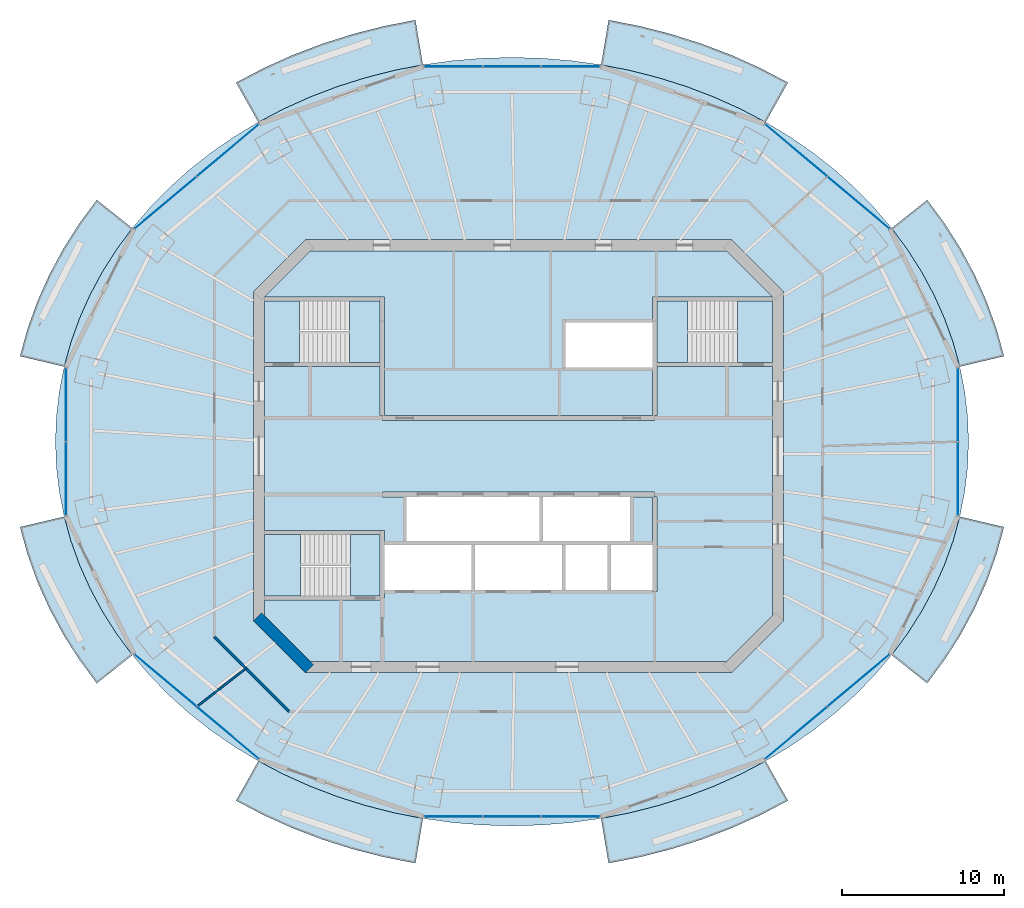
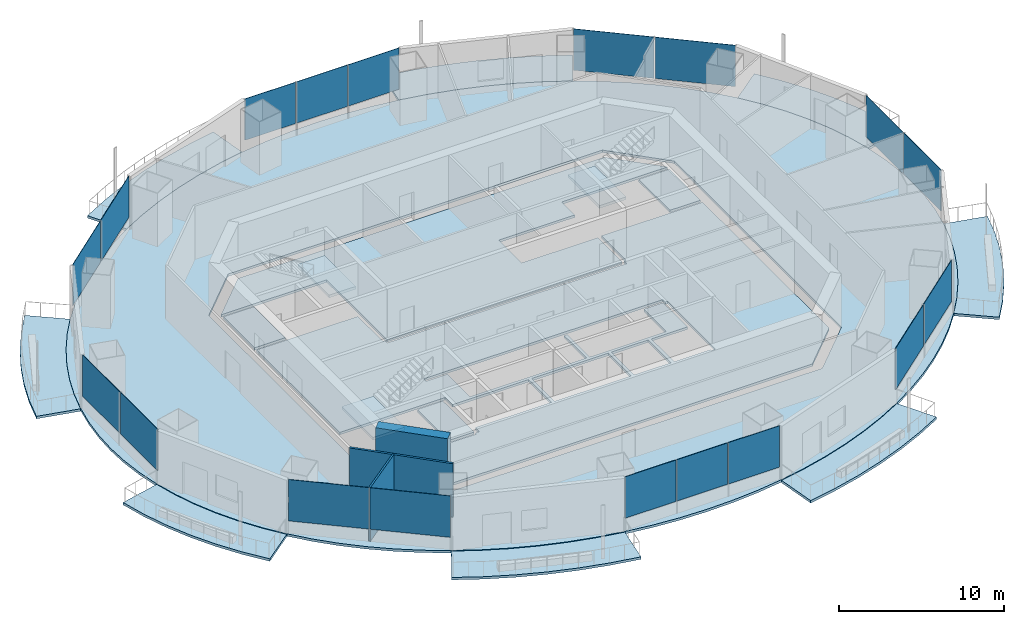
# One storey, part 7 of 16: 18 plates, 17 slabs, 3 walls, 11 elements without a shape of their own.
"""IFC4 building model written with IfcOpenShell, lengths in metres."""

import ifcopenshell
import ifcopenshell.guid

model = None  # the IFC model being written
_history = None  # IfcOwnerHistory: only IFC2X3 demands one
_inside = {}  # id of a spatial element -> (the spatial element, [elements in it])
_under = {}  # id of a project, library or spatial element -> (it, [spatial elements below it])
_declared = {}  # id of a project -> (the project, [libraries it declares])
_typed = {}  # id of a type object -> (the type object, [elements of that type])
_made_of = {}  # id of a material, layer set ... -> (it, [elements and type objects made of it])


def new_model(schema):
    """Start an empty IFC model of exactly this schema.

    Asked for "IFC4X3", IfcOpenShell would pick the latest addendum, in which some entities
    have other attributes; the version numbers below select the first issue.
    IFC2X3 requires an IfcOwnerHistory on every rooted entity: one is made here for all.
    """
    global model, _history
    if schema == "IFC4X3":
        model = ifcopenshell.file(schema_version=(4, 3, 0, 0))
    else:
        model = ifcopenshell.file(schema=schema)
    _inside.clear()
    _under.clear()
    _declared.clear()
    _typed.clear()
    _made_of.clear()
    _history = None
    if model.schema == "IFC2X3":
        org = make("IfcOrganization", Name="unknown")
        user = make(
            "IfcPersonAndOrganization",
            ThePerson=make("IfcPerson", FamilyName="unknown"),
            TheOrganization=org,
        )
        app = make(
            "IfcApplication",
            ApplicationDeveloper=org,
            Version="unknown",
            ApplicationFullName="unknown",
            ApplicationIdentifier="unknown",
        )
        _history = make(
            "IfcOwnerHistory",
            OwningUser=user,
            OwningApplication=app,
            ChangeAction="ADDED",
            CreationDate=0,
        )
    return model


def make(cls, **values):
    """One entity of the class cls with the attributes given. An attribute that is None is left unset."""
    return model.create_entity(
        cls, **{name: value for name, value in values.items() if value is not None}
    )


def rooted(cls, **values):
    """An entity with a GlobalId (a new one), such as an element, a storey or a relation."""
    return make(cls, GlobalId=ifcopenshell.guid.new(), OwnerHistory=_history, **values)


def si_unit(unit_type, name, prefix=None):
    """IfcSIUnit, for example si_unit("LENGTHUNIT", "METRE", prefix="MILLI")."""
    return make("IfcSIUnit", UnitType=unit_type, Prefix=prefix, Name=name)


def assignment(units):
    """IfcUnitAssignment: the units of a project."""
    return None if units is None else make("IfcUnitAssignment", Units=units)


def point(xyz):
    """IfcCartesianPoint."""
    return None if xyz is None else make("IfcCartesianPoint", Coordinates=xyz)


def direction(xyz):
    """IfcDirection."""
    return None if xyz is None else make("IfcDirection", DirectionRatios=xyz)


def frame(location, z_axis=None, x_axis=None):
    """IfcAxis2Placement3D, a coordinate frame: its origin and axes. An axis left out is left unset."""
    return make(
        "IfcAxis2Placement3D",
        Location=point(location),
        Axis=direction(z_axis),
        RefDirection=direction(x_axis),
    )


def frame_2d(location, x_axis=None):
    """IfcAxis2Placement2D, a coordinate frame in the plane: its origin and x axis."""
    return make(
        "IfcAxis2Placement2D", Location=point(location), RefDirection=direction(x_axis)
    )


def origin():
    """The frame at (0, 0, 0) with its axes left unset."""
    return frame((0.0, 0.0, 0.0))


def origin_2d():
    """The frame at (0, 0) in the plane with its x axis left unset."""
    return frame_2d((0.0, 0.0))


def place(relative_to, where):
    """IfcLocalPlacement: puts the frame where relative to a parent placement (None: the world)."""
    return make(
        "IfcLocalPlacement", PlacementRelTo=relative_to, RelativePlacement=where
    )


def context(
    kind, dimensions, precision=None, world=None, true_north=None, identifier=None
):
    """IfcGeometricRepresentationContext, for example the 3D "Model" context."""
    return make(
        "IfcGeometricRepresentationContext",
        ContextIdentifier=identifier,
        ContextType=kind,
        CoordinateSpaceDimension=dimensions,
        Precision=precision,
        WorldCoordinateSystem=world,
        TrueNorth=true_north,
    )


def subcontext(parent, identifier, kind, view, scale=None):
    """IfcGeometricRepresentationSubContext, for example "Body" below "Model"."""
    return make(
        "IfcGeometricRepresentationSubContext",
        ContextIdentifier=identifier,
        ContextType=kind,
        ParentContext=parent,
        TargetScale=scale,
        TargetView=view,
    )


def project(units=None, contexts=None):
    """IfcProject with its units and contexts."""
    return rooted(
        "IfcProject",
        Name="project",
        RepresentationContexts=contexts,
        UnitsInContext=assignment(units),
    )


def spatial(cls, under=None, at=None, **own):
    """A site, building, storey or space (cls), placed at a placement, below another one or the project."""
    s = rooted(cls, ObjectPlacement=at, **own)
    if under is not None:
        _under.setdefault(under.id(), (under, []))[1].append(s)
    return s


def polyline(points):
    """IfcPolyline through the points."""
    return make("IfcPolyline", Points=[point(p) for p in points])


def profile(cls, at=None, kind="AREA", **sizes):
    """A parametric profile (cls). Its sizes go by their IFC names, for example OverallWidth=200.0."""
    return make(cls, ProfileType=kind, Position=at, **sizes)


def rectangle(**sizes):
    """IfcRectangleProfileDef."""
    return profile("IfcRectangleProfileDef", **sizes)


def outline(outer, holes=None, kind="AREA"):
    """IfcArbitraryClosedProfileDef: a profile drawn as a closed curve; with holes, ...WithVoids."""
    if holes is None:
        return make("IfcArbitraryClosedProfileDef", ProfileType=kind, OuterCurve=outer)
    return make(
        "IfcArbitraryProfileDefWithVoids",
        ProfileType=kind,
        OuterCurve=outer,
        InnerCurves=holes,
    )


def extrude(swept, where, along, depth):
    """IfcExtrudedAreaSolid: the profile swept, set in the frame where, extruded along a direction by depth."""
    return make(
        "IfcExtrudedAreaSolid",
        SweptArea=swept,
        Position=where,
        ExtrudedDirection=direction(along),
        Depth=depth,
    )


def shape(context_of_items, identifier, shape_type, items):
    """IfcShapeRepresentation: the items that make up one representation, for example the "Body"."""
    return make(
        "IfcShapeRepresentation",
        ContextOfItems=context_of_items,
        RepresentationIdentifier=identifier,
        RepresentationType=shape_type,
        Items=items,
    )


def material(Name=None, Category=None):
    """IfcMaterial."""
    return make("IfcMaterial", Name=Name, Category=Category)


def layer(
    of_material, thickness, ventilated=None, Name=None, Category=None, Priority=None
):
    """IfcMaterialLayer: one layer of a wall or slab, of a material (None: an air gap)."""
    return make(
        "IfcMaterialLayer",
        Material=of_material,
        LayerThickness=thickness,
        IsVentilated=ventilated,
        Name=Name,
        Category=Category,
        Priority=Priority,
    )


def layer_set(layers, Name=None):
    """IfcMaterialLayerSet."""
    return make("IfcMaterialLayerSet", MaterialLayers=layers, LayerSetName=Name)


def made_of(thing, what):
    """Note that an element or type object is made of a material, layer set ...; save() writes the relation."""
    if what is not None:
        _made_of.setdefault(what.id(), (what, []))[1].append(thing)
    return thing


def type_object(cls, material=None, **own):
    """A type object (cls), such as IfcWallType, which elements share."""
    return made_of(rooted(cls, **own), material)


def element(
    cls,
    number,
    at=None,
    inside=None,
    cuts=None,
    type_object=None,
    material=None,
    context=None,
    identifier="Body",
    shape_type=None,
    held_by="IfcProductDefinitionShape",
    body=None,
    shapes=None,
    **own,
):
    """One element of the class cls, such as IfcWall. Its Tag is "e" and its number.

    at: its placement. inside: the storey or other place that contains it. cuts: it is an
    opening in that element (IfcRelVoidsElement). A single representation is given by context,
    identifier, shape_type and body (its items); several are given by shapes. held_by: the class
    of the entity that holds the representations. save() writes the other relations.
    """
    e = rooted(cls, Tag="e%d" % number, ObjectPlacement=at, **own)
    if body is not None:
        shapes = [shape(context, identifier, shape_type, body)]
    if shapes is not None:
        e.Representation = make(held_by, Representations=shapes)
    if inside is not None:
        _inside.setdefault(inside.id(), (inside, []))[1].append(e)
    if cuts is not None:
        rooted(
            "IfcRelVoidsElement", RelatingBuildingElement=cuts, RelatedOpeningElement=e
        )
    if type_object is not None:
        _typed.setdefault(type_object.id(), (type_object, []))[1].append(e)
    return made_of(e, material)


def aggregate(whole, parts):
    """IfcRelAggregates: a whole, such as a stair, and the parts it consists of."""
    return rooted("IfcRelAggregates", RelatingObject=whole, RelatedObjects=parts)


def save(model, path):
    """Write the relations noted so far, then the file.

    IfcRelAggregates (storeys below a building ...), IfcRelContainedInSpatialStructure (elements
    in a storey), IfcRelDefinesByType, IfcRelAssociatesMaterial and IfcRelDeclares: one each for
    every whole, place, type object, material and project.
    """
    for whole, parts in _under.values():
        aggregate(whole, parts)
    for where, things in _inside.values():
        rooted(
            "IfcRelContainedInSpatialStructure",
            RelatedElements=things,
            RelatingStructure=where,
        )
    for kind, things in _typed.values():
        rooted("IfcRelDefinesByType", RelatedObjects=things, RelatingType=kind)
    for what, things in _made_of.values():
        rooted("IfcRelAssociatesMaterial", RelatedObjects=things, RelatingMaterial=what)
    for by, libraries in _declared.values():
        rooted("IfcRelDeclares", RelatingContext=by, RelatedDefinitions=libraries)
    model.write(path)


model = new_model("IFC4")

# Units and contexts
model_context = context("Model", 3, precision=1e-05, world=origin(), true_north=direction((0.0, 1.0)))
body_context = subcontext(model_context, "Body", "Model", "MODEL_VIEW")
ifc_project = project(units=[si_unit("LENGTHUNIT", "METRE"), si_unit("AREAUNIT", "SQUARE_METRE"), si_unit("VOLUMEUNIT", "CUBIC_METRE"), si_unit("PLANEANGLEUNIT", "RADIAN"), si_unit("MASSUNIT", "GRAM", prefix="KILO")], contexts=[model_context])

# Site, building, storey
site_placement = place(None, origin())
site = spatial("IfcSite", under=ifc_project, at=site_placement, CompositionType="ELEMENT")
building_placement = place(site_placement, origin())
building = spatial("IfcBuilding", under=site, at=building_placement, Name="Marenthal Gate Tower", CompositionType="ELEMENT")
storey_placement = place(building_placement, frame((0.0, 0.0, 317.699951171875)))
storey = spatial("IfcBuildingStorey", under=building, at=storey_placement, Name="L71", CompositionType="ELEMENT", Elevation=317.699951171875)

# Slabs
ifc_material_1 = material(Name="Concrete 40 MPa", Category="concrete")
ifc_layer_1 = layer(ifc_material_1, 0.179931640625)
ifc_layer_set_1 = layer_set([ifc_layer_1], Name="Balcony deck 180")
slab_type_1 = type_object("IfcSlabType", Name="Balcony deck 180", PredefinedType="USERDEFINED", material=ifc_layer_set_1)
slab_1_placement = place(storey_placement, frame((0.0, 0.0, -0.219970703125)))
element("IfcSlab", 1, at=slab_1_placement, inside=storey, type_object=slab_type_1, Name="Balcony deck L71 bay 1", ObjectType="BALCONY", PredefinedType="USERDEFINED", context=body_context, shape_type="SweptSolid", body=[
    extrude(outline(polyline([(27.212890625, 5.522216796875), (26.794677734375, 7.031982421875), (26.260009765625, 8.515380859375), (25.61083984375, 9.966552734375), (24.8505859375, 11.378662109375), (23.982177734375, 12.74609375), (23.00927734375, 14.0625), (25.201904296875, 15.8037109375), (26.291015625, 14.330078125), (27.266357421875, 12.79443359375), (28.123046875, 11.203125), (28.856689453125, 9.56298828125), (29.462646484375, 7.88134765625), (29.93798828125, 6.166259765625), (27.212890625, 5.522216796875)])), origin(), (0.0, 0.0, 1.0), 0.179931640625),
])
slab_2_placement = place(storey_placement, frame((0.0, 0.0, -0.219970703125)))
element("IfcSlab", 2, at=slab_2_placement, inside=storey, type_object=slab_type_1, Name="Balcony deck L71 bay 3", ObjectType="BALCONY", PredefinedType="USERDEFINED", context=body_context, shape_type="SweptSolid", body=[
    extrude(outline(polyline([(15.241455078125, 20.59912109375), (13.677001953125, 21.41796875), (12.05224609375, 22.148681640625), (10.3740234375, 22.78857421875), (8.64990234375, 23.334716796875), (6.88671875, 23.78466796875), (5.092529296875, 24.13671875), (5.554931640625, 26.8984375), (7.502685546875, 26.51611328125), (9.4189453125, 26.027099609375), (11.295654296875, 25.4326171875), (13.12548828125, 24.73486328125), (14.900634765625, 23.936279296875), (16.61376953125, 23.039794921875), (15.241455078125, 20.59912109375)])), origin(), (0.0, 0.0, 1.0), 0.179931640625),
])
slab_3_placement = place(storey_placement, frame((0.0, 0.0, -0.219970703125)))
element("IfcSlab", 3, at=slab_3_placement, inside=storey, type_object=slab_type_1, Name="Balcony deck L71 bay 5", ObjectType="BALCONY", PredefinedType="USERDEFINED", context=body_context, shape_type="SweptSolid", body=[
    extrude(outline(polyline([(-5.892578125, 24.13671875), (-7.686767578125, 23.78466796875), (-9.44970703125, 23.334716796875), (-11.174072265625, 22.78857421875), (-12.852294921875, 22.148681640625), (-14.47705078125, 21.41796875), (-16.04150390625, 20.59912109375), (-17.413818359375, 23.039794921875), (-15.70068359375, 23.936279296875), (-13.925537109375, 24.73486328125), (-12.095703125, 25.4326171875), (-10.21875, 26.027099609375), (-8.302734375, 26.51611328125), (-6.354736328125, 26.8984375), (-5.892578125, 24.13671875)])), origin(), (0.0, 0.0, 1.0), 0.179931640625),
])
slab_4_placement = place(storey_placement, frame((0.0, 0.0, -0.219970703125)))
element("IfcSlab", 4, at=slab_4_placement, inside=storey, type_object=slab_type_1, Name="Balcony deck L71 bay 7", ObjectType="BALCONY", PredefinedType="USERDEFINED", context=body_context, shape_type="SweptSolid", body=[
    extrude(outline(polyline([(-23.80908203125, 14.0625), (-24.781982421875, 12.74609375), (-25.650634765625, 11.378662109375), (-26.410888671875, 9.966552734375), (-27.059814453125, 8.515380859375), (-27.5947265625, 7.031982421875), (-28.012939453125, 5.522216796875), (-30.73779296875, 6.166259765625), (-30.2626953125, 7.88134765625), (-29.656494140625, 9.56298828125), (-28.923095703125, 11.203125), (-28.06640625, 12.79443359375), (-27.091064453125, 14.330078125), (-26.001953125, 15.8037109375), (-23.80908203125, 14.0625)])), origin(), (0.0, 0.0, 1.0), 0.179931640625),
])
slab_5_placement = place(storey_placement, frame((0.0, 0.0, -0.219970703125)))
element("IfcSlab", 5, at=slab_5_placement, inside=storey, type_object=slab_type_1, Name="Balcony deck L71 bay 9", ObjectType="BALCONY", PredefinedType="USERDEFINED", context=body_context, shape_type="SweptSolid", body=[
    extrude(outline(polyline([(-28.012939453125, -3.72216796875), (-27.5947265625, -5.23193359375), (-27.059814453125, -6.715576171875), (-26.410888671875, -8.16650390625), (-25.650634765625, -9.57861328125), (-24.781982421875, -10.946044921875), (-23.80908203125, -12.2626953125), (-26.001953125, -14.003662109375), (-27.091064453125, -12.530029296875), (-28.06640625, -10.994384765625), (-28.923095703125, -9.403076171875), (-29.656494140625, -7.762939453125), (-30.2626953125, -6.08154296875), (-30.73779296875, -4.3662109375), (-28.012939453125, -3.72216796875)])), origin(), (0.0, 0.0, 1.0), 0.179931640625),
])
slab_6_placement = place(storey_placement, frame((0.0, 0.0, -0.219970703125)))
element("IfcSlab", 6, at=slab_6_placement, inside=storey, type_object=slab_type_1, Name="Balcony deck L71 bay 11", ObjectType="BALCONY", PredefinedType="USERDEFINED", context=body_context, shape_type="SweptSolid", body=[
    extrude(outline(polyline([(-16.04150390625, -18.79931640625), (-14.47705078125, -19.617919921875), (-12.852294921875, -20.3486328125), (-11.174072265625, -20.988525390625), (-9.44970703125, -21.53466796875), (-7.686767578125, -21.984619140625), (-5.892578125, -22.3369140625), (-6.354736328125, -25.098388671875), (-8.302734375, -24.716064453125), (-10.21875, -24.22705078125), (-12.095703125, -23.632568359375), (-13.925537109375, -22.934814453125), (-15.70068359375, -22.136474609375), (-17.413818359375, -21.23974609375), (-16.04150390625, -18.79931640625)])), origin(), (0.0, 0.0, 1.0), 0.179931640625),
])
slab_7_placement = place(storey_placement, frame((0.0, 0.0, -0.219970703125)))
element("IfcSlab", 7, at=slab_7_placement, inside=storey, type_object=slab_type_1, Name="Balcony deck L71 bay 13", ObjectType="BALCONY", PredefinedType="USERDEFINED", context=body_context, shape_type="SweptSolid", body=[
    extrude(outline(polyline([(5.092529296875, -22.3369140625), (6.88671875, -21.984619140625), (8.64990234375, -21.53466796875), (10.3740234375, -20.988525390625), (12.05224609375, -20.3486328125), (13.677001953125, -19.617919921875), (15.241455078125, -18.79931640625), (16.61376953125, -21.23974609375), (14.900634765625, -22.136474609375), (13.12548828125, -22.934814453125), (11.295654296875, -23.632568359375), (9.4189453125, -24.22705078125), (7.502685546875, -24.716064453125), (5.554931640625, -25.098388671875), (5.092529296875, -22.3369140625)])), origin(), (0.0, 0.0, 1.0), 0.179931640625),
])
slab_8_placement = place(storey_placement, frame((0.0, 0.0, -0.219970703125)))
element("IfcSlab", 8, at=slab_8_placement, inside=storey, type_object=slab_type_1, Name="Balcony deck L71 bay 15", ObjectType="BALCONY", PredefinedType="USERDEFINED", context=body_context, shape_type="SweptSolid", body=[
    extrude(outline(polyline([(23.00927734375, -12.2626953125), (23.982177734375, -10.946044921875), (24.8505859375, -9.57861328125), (25.61083984375, -8.16650390625), (26.260009765625, -6.715576171875), (26.794677734375, -5.23193359375), (27.212890625, -3.72216796875), (29.93798828125, -4.3662109375), (29.462646484375, -6.08154296875), (28.856689453125, -7.762939453125), (28.123046875, -9.403076171875), (27.266357421875, -10.994384765625), (26.291015625, -12.530029296875), (25.201904296875, -14.003662109375), (23.00927734375, -12.2626953125)])), origin(), (0.0, 0.0, 1.0), 0.179931640625),
])
ifc_material_2 = material(Name="Concrete 50 MPa", Category="concrete")
ifc_layer_2 = layer(ifc_material_2, 0.179931640625)
ifc_layer_set_2 = layer_set([ifc_layer_2], Name="Core floor slab 180")
slab_type_2 = type_object("IfcSlabType", Name="Core floor slab 180", PredefinedType="FLOOR", material=ifc_layer_set_2)
slab_9_placement = place(storey_placement, frame((0.0, 0.0, -0.179931640625)))
element("IfcSlab", 9, at=slab_9_placement, inside=storey, type_object=slab_type_2, Name="Core floor L71", PredefinedType="FLOOR", context=body_context, shape_type="SweptSolid", body=[
    extrude(outline(polyline([(12.85498046875, -12.64990234375), (-12.85498046875, -12.64990234375), (-15.64990234375, -9.85498046875), (-15.64990234375, -8.875), (-8.550048828125, -8.875), (-8.550048828125, -8.75), (-8.25, -8.75), (-8.25, -8.239990234375), (-5.60009765625, -8.239990234375), (-2.909912109375, -8.239990234375), (-2.909912109375, -5.4599609375), (-5.60009765625, -5.4599609375), (-8.25, -5.4599609375), (-8.25, -4.574951171875), (-8.550048828125, -4.574951171875), (-15.64990234375, -4.574951171875), (-15.64990234375, 5.52490234375), (-8.550048828125, 5.52490234375), (-8.550048828125, 2.5), (-8.39990234375, 2.5), (-8.39990234375, 2.199951171875), (8.39990234375, 2.199951171875), (8.39990234375, 2.5), (8.550048828125, 2.5), (8.550048828125, 5.52490234375), (15.64990234375, 5.52490234375), (15.64990234375, -9.85498046875), (12.85498046875, -12.64990234375)]), holes=[polyline([(0.0, -8.239990234375), (2.68994140625, -8.239990234375), (2.68994140625, -5.4599609375), (0.0, -5.4599609375), (-2.68994140625, -5.4599609375), (-2.68994140625, -8.239990234375), (0.0, -8.239990234375)]), polyline([(1.2900390625, -5.239990234375), (1.2900390625, -2.5), (1.510009765625, -2.5), (1.510009765625, -5.239990234375), (4.199951171875, -5.239990234375), (6.889892578125, -5.239990234375), (6.889892578125, -2.5), (8.25, -2.5), (8.25, -5.4599609375), (5.7099609375, -5.4599609375), (5.7099609375, -8.239990234375), (8.25, -8.239990234375), (8.25, -8.35009765625), (8.550048828125, -8.35009765625), (8.550048828125, -2.5), (8.39990234375, -2.5), (8.39990234375, -2.199951171875), (-8.39990234375, -2.199951171875), (-8.39990234375, -2.5), (-6.889892578125, -2.5), (-6.889892578125, -5.239990234375), (-4.199951171875, -5.239990234375), (-1.39990234375, -5.239990234375), (1.2900390625, -5.239990234375)]), polyline([(5.489990234375, -5.4599609375), (2.909912109375, -5.4599609375), (2.909912109375, -8.239990234375), (5.489990234375, -8.239990234375), (5.489990234375, -5.4599609375)])]), origin(), (0.0, 0.0, 1.0), 0.179931640625),
])
slab_10_placement = place(storey_placement, frame((0.0, 0.0, -0.179931640625)))
element("IfcSlab", 10, at=slab_10_placement, inside=storey, type_object=slab_type_2, Name="Core floor L71", PredefinedType="FLOOR", context=body_context, shape_type="SweptSolid", body=[
    extrude(outline(polyline([(15.64990234375, 5.77490234375), (13.5, 5.77490234375), (13.5, 9.574951171875), (15.64990234375, 9.574951171875), (15.64990234375, 5.77490234375)])), origin(), (0.0, 0.0, 1.0), 0.179931640625),
])
slab_11_placement = place(storey_placement, frame((0.0, 0.0, -0.179931640625)))
element("IfcSlab", 11, at=slab_11_placement, inside=storey, type_object=slab_type_2, Name="Core floor L71", PredefinedType="FLOOR", context=body_context, shape_type="SweptSolid", body=[
    extrude(outline(polyline([(15.64990234375, 9.824951171875), (8.550048828125, 9.824951171875), (8.25, 9.824951171875), (8.25, 8.35009765625), (8.25, 8.239990234375), (5.60009765625, 8.239990234375), (2.909912109375, 8.239990234375), (2.909912109375, 5.4599609375), (5.60009765625, 5.4599609375), (8.25, 5.4599609375), (8.25, 2.5), (-8.25, 2.5), (-8.25, 8.35009765625), (-8.25, 9.824951171875), (-8.550048828125, 9.824951171875), (-15.64990234375, 9.824951171875), (-15.64990234375, 9.85498046875), (-12.85498046875, 12.64990234375), (12.85498046875, 12.64990234375), (15.64990234375, 9.85498046875), (15.64990234375, 9.824951171875)])), origin(), (0.0, 0.0, 1.0), 0.179931640625),
])
slab_12_placement = place(storey_placement, frame((0.0, 0.0, -0.179931640625)))
element("IfcSlab", 12, at=slab_12_placement, inside=storey, type_object=slab_type_2, Name="Core floor L71", PredefinedType="FLOOR", context=body_context, shape_type="SweptSolid", body=[
    extrude(outline(polyline([(-15.64990234375, 9.574951171875), (-13.5, 9.574951171875), (-13.5, 5.77490234375), (-15.64990234375, 5.77490234375), (-15.64990234375, 9.574951171875)])), origin(), (0.0, 0.0, 1.0), 0.179931640625),
])
slab_13_placement = place(storey_placement, frame((0.0, 0.0, -0.179931640625)))
element("IfcSlab", 13, at=slab_13_placement, inside=storey, type_object=slab_type_2, Name="Core floor L71", PredefinedType="FLOOR", context=body_context, shape_type="SweptSolid", body=[
    extrude(outline(polyline([(-8.550048828125, -4.824951171875), (-8.550048828125, -8.625), (-10.35009765625, -8.625), (-10.35009765625, -4.824951171875), (-8.550048828125, -4.824951171875)])), origin(), (0.0, 0.0, 1.0), 0.179931640625),
])
ifc_material_3 = material(Name="Concrete 35 MPa", Category="concrete")
ifc_layer_3 = layer(ifc_material_3, 0.179931640625)
ifc_layer_set_3 = layer_set([ifc_layer_3], Name="Floor slab 180")
slab_type_3 = type_object("IfcSlabType", Name="Floor slab 180", PredefinedType="FLOOR", material=ifc_layer_set_3)
slab_14_placement = place(storey_placement, frame((0.0, 0.0, -0.179931640625)))
element("IfcSlab", 14, at=slab_14_placement, inside=storey, type_object=slab_type_3, Name="SL-L71-01", PredefinedType="FLOOR", context=body_context, shape_type="SweptSolid", body=[
    extrude(outline(polyline([(27.75390625, 0.89990234375), (27.693603515625, 2.449462890625), (27.51318359375, 3.992431640625), (27.212890625, 5.522216796875), (26.794677734375, 7.031982421875), (26.260009765625, 8.515380859375), (25.61083984375, 9.966552734375), (24.8505859375, 11.378662109375), (23.982177734375, 12.74609375), (23.00927734375, 14.0625), (21.93603515625, 15.32275390625), (20.767333984375, 16.521240234375), (19.5078125, 17.65283203125), (18.1630859375, 18.712646484375), (16.739013671875, 19.696044921875), (15.241455078125, 20.59912109375), (13.677001953125, 21.41796875), (12.05224609375, 22.148681640625), (10.3740234375, 22.78857421875), (8.64990234375, 23.334716796875), (6.88671875, 23.78466796875), (5.092529296875, 24.13671875), (3.27490234375, 24.389404296875), (1.44140625, 24.541259765625), (-0.39990234375, 24.592041015625), (-2.241455078125, 24.541259765625), (-4.07470703125, 24.389404296875), (-5.892578125, 24.13671875), (-7.686767578125, 23.78466796875), (-9.44970703125, 23.334716796875), (-11.174072265625, 22.78857421875), (-12.852294921875, 22.148681640625), (-14.47705078125, 21.41796875), (-16.04150390625, 20.59912109375), (-17.5390625, 19.696044921875), (-18.963134765625, 18.712646484375), (-20.307861328125, 17.65283203125), (-21.5673828125, 16.521240234375), (-22.736083984375, 15.32275390625), (-23.80908203125, 14.0625), (-24.781982421875, 12.74609375), (-25.650634765625, 11.378662109375), (-26.410888671875, 9.966552734375), (-27.059814453125, 8.515380859375), (-27.5947265625, 7.031982421875), (-28.012939453125, 5.522216796875), (-28.31298828125, 3.992431640625), (-28.49365234375, 2.449462890625), (-28.553955078125, 0.89990234375), (-28.49365234375, -0.6494140625), (-28.31298828125, -2.1923828125), (-28.012939453125, -3.72216796875), (-27.5947265625, -5.23193359375), (-27.059814453125, -6.715576171875), (-26.410888671875, -8.16650390625), (-25.650634765625, -9.57861328125), (-24.781982421875, -10.946044921875), (-23.80908203125, -12.2626953125), (-22.736083984375, -13.522705078125), (-21.5673828125, -14.72119140625), (-20.307861328125, -15.852783203125), (-18.963134765625, -16.91259765625), (-17.5390625, -17.89599609375), (-16.04150390625, -18.79931640625), (-14.47705078125, -19.617919921875), (-12.852294921875, -20.3486328125), (-11.174072265625, -20.988525390625), (-9.44970703125, -21.53466796875), (-7.686767578125, -21.984619140625), (-5.892578125, -22.3369140625), (-4.07470703125, -22.58935546875), (-2.241455078125, -22.7412109375), (-0.39990234375, -22.7919921875), (1.44140625, -22.7412109375), (3.27490234375, -22.58935546875), (5.092529296875, -22.3369140625), (6.88671875, -21.984619140625), (8.64990234375, -21.53466796875), (10.3740234375, -20.988525390625), (12.05224609375, -20.3486328125), (13.677001953125, -19.617919921875), (15.241455078125, -18.79931640625), (16.739013671875, -17.89599609375), (18.1630859375, -16.91259765625), (19.5078125, -15.852783203125), (20.767333984375, -14.72119140625), (21.93603515625, -13.522705078125), (23.00927734375, -12.2626953125), (23.982177734375, -10.946044921875), (24.8505859375, -9.57861328125), (25.61083984375, -8.16650390625), (26.260009765625, -6.715576171875), (26.794677734375, -5.23193359375), (27.212890625, -3.72216796875), (27.51318359375, -2.1923828125), (27.693603515625, -0.6494140625), (27.75390625, 0.89990234375)]), holes=[polyline([(13.14501953125, -13.35009765625), (16.35009765625, -10.14501953125), (16.35009765625, 10.14501953125), (13.14501953125, 13.35009765625), (-13.14501953125, 13.35009765625), (-16.35009765625, 10.14501953125), (-16.35009765625, -10.14501953125), (-13.14501953125, -13.35009765625), (13.14501953125, -13.35009765625)])]), origin(), (0.0, 0.0, 1.0), 0.179931640625),
])

# Curtain wall, plates
ifc_material_4 = material(Name="Aluminium and glass", Category="aluminium")
curtain_wall_type = type_object("IfcCurtainWallType", Name="Curtain wall typical high", PredefinedType="NOTDEFINED", material=ifc_material_4)
curtain_wall_1_placement = place(storey_placement, origin())
curtain_wall_1 = element("IfcCurtainWall", 15, at=curtain_wall_1_placement, inside=storey, type_object=curtain_wall_type, Name="Curtain wall L71 bay 2", PredefinedType="NOTDEFINED")
ifc_material_5 = material(Name="Glass, laminated insulating unit", Category="glass")
ifc_layer_4 = layer(ifc_material_5, 0.031982421875)
ifc_layer_set_4 = layer_set([ifc_layer_4], Name="Glass panel 32 typical high")
plate_type = type_object("IfcPlateType", Name="Glass panel 32 typical high", PredefinedType="CURTAIN_PANEL", material=ifc_layer_set_4)
plate_1_placement = place(storey_placement, frame((20.96435546875, 15.63134765625, 0.89990234375), z_axis=(0.0, 0.0, 1.0), x_axis=(-0.765387011848, 0.643570293048, 0.0)))
plate_1 = element("IfcPlate", 16, at=plate_1_placement, type_object=plate_type, Name="Glass panel L71 bay 2.1", PredefinedType="CURTAIN_PANEL", context=body_context, shape_type="SweptSolid", body=[
    extrude(rectangle(XDim=4.962646484375, YDim=0.031982421875, at=origin_2d()), origin(), (0.0, 0.0, 1.0), 3.070068359375),
])
plate_2_placement = place(storey_placement, frame((17.1201171875, 18.86376953125, 0.89990234375), z_axis=(0.0, 0.0, 1.0), x_axis=(-0.765387011848, 0.643570293048, 0.0)))
plate_2 = element("IfcPlate", 17, at=plate_2_placement, type_object=plate_type, Name="Glass panel L71 bay 2.2", PredefinedType="CURTAIN_PANEL", context=body_context, shape_type="SweptSolid", body=[
    extrude(rectangle(XDim=4.962646484375, YDim=0.031982421875, at=origin_2d()), origin(), (0.0, 0.0, 1.0), 3.070068359375),
])
aggregate(curtain_wall_1, [plate_1, plate_2])

curtain_wall_2_placement = place(storey_placement, origin())
curtain_wall_2 = element("IfcCurtainWall", 18, at=curtain_wall_2_placement, inside=storey, type_object=curtain_wall_type, Name="Curtain wall L71 bay 4", PredefinedType="NOTDEFINED")
plate_3_placement = place(storey_placement, frame((3.22607421875, 24.01904296875, 0.89990234375), z_axis=(0.0, 0.0, 1.0), x_axis=(-1.0, 0.0, 0.0)))
plate_3 = element("IfcPlate", 19, at=plate_3_placement, type_object=plate_type, Name="Glass panel L71 bay 4.1", PredefinedType="CURTAIN_PANEL", context=body_context, shape_type="SweptSolid", body=[
    extrude(rectangle(XDim=3.566162109375, YDim=0.031982421875, at=origin_2d()), origin(), (0.0, 0.0, 1.0), 3.070068359375),
])
plate_4_placement = place(storey_placement, frame((-0.39990234375, 24.01904296875, 0.89990234375), z_axis=(0.0, 0.0, 1.0), x_axis=(-1.0, 0.0, 0.0)))
plate_4 = element("IfcPlate", 20, at=plate_4_placement, type_object=plate_type, Name="Glass panel L71 bay 4.2", PredefinedType="CURTAIN_PANEL", context=body_context, shape_type="SweptSolid", body=[
    extrude(rectangle(XDim=3.566162109375, YDim=0.031982421875, at=origin_2d()), origin(), (0.0, 0.0, 1.0), 3.070068359375),
])
plate_5_placement = place(storey_placement, frame((-4.026123046875, 24.01904296875, 0.89990234375), z_axis=(0.0, 0.0, 1.0), x_axis=(-1.0, 0.0, 0.0)))
plate_5 = element("IfcPlate", 21, at=plate_5_placement, type_object=plate_type, Name="Glass panel L71 bay 4.3", PredefinedType="CURTAIN_PANEL", context=body_context, shape_type="SweptSolid", body=[
    extrude(rectangle(XDim=3.566162109375, YDim=0.031982421875, at=origin_2d()), origin(), (0.0, 0.0, 1.0), 3.070068359375),
])
aggregate(curtain_wall_2, [plate_3, plate_4, plate_5])

curtain_wall_3_placement = place(storey_placement, origin())
curtain_wall_3 = element("IfcCurtainWall", 22, at=curtain_wall_3_placement, inside=storey, type_object=curtain_wall_type, Name="Curtain wall L71 bay 6", PredefinedType="NOTDEFINED")
plate_6_placement = place(storey_placement, frame((-17.919921875, 18.86376953125, 0.89990234375), z_axis=(0.0, 0.0, 1.0), x_axis=(-0.765387011848, -0.643570293048, 0.0)))
plate_6 = element("IfcPlate", 23, at=plate_6_placement, type_object=plate_type, Name="Glass panel L71 bay 6.1", PredefinedType="CURTAIN_PANEL", context=body_context, shape_type="SweptSolid", body=[
    extrude(rectangle(XDim=4.962646484375, YDim=0.031982421875, at=origin_2d()), origin(), (0.0, 0.0, 1.0), 3.070068359375),
])
plate_7_placement = place(storey_placement, frame((-21.764404296875, 15.63134765625, 0.89990234375), z_axis=(0.0, 0.0, 1.0), x_axis=(-0.765387011848, -0.643570293048, 0.0)))
plate_7 = element("IfcPlate", 24, at=plate_7_placement, type_object=plate_type, Name="Glass panel L71 bay 6.2", PredefinedType="CURTAIN_PANEL", context=body_context, shape_type="SweptSolid", body=[
    extrude(rectangle(XDim=4.962646484375, YDim=0.031982421875, at=origin_2d()), origin(), (0.0, 0.0, 1.0), 3.070068359375),
])
aggregate(curtain_wall_3, [plate_6, plate_7])

curtain_wall_4_placement = place(storey_placement, origin())
curtain_wall_4 = element("IfcCurtainWall", 25, at=curtain_wall_4_placement, inside=storey, type_object=curtain_wall_type, Name="Curtain wall L71 bay 8", PredefinedType="NOTDEFINED")
plate_8_placement = place(storey_placement, frame((-27.895263671875, 3.184326171875, 0.89990234375), z_axis=(0.0, 0.0, 1.0), x_axis=(0.0, -1.0, 0.0)))
plate_8 = element("IfcPlate", 26, at=plate_8_placement, type_object=plate_type, Name="Glass panel L71 bay 8.1", PredefinedType="CURTAIN_PANEL", context=body_context, shape_type="SweptSolid", body=[
    extrude(rectangle(XDim=4.5087890625, YDim=0.031982421875, at=origin_2d()), origin(), (0.0, 0.0, 1.0), 3.070068359375),
])
plate_9_placement = place(storey_placement, frame((-27.895263671875, -1.38427734375, 0.89990234375), z_axis=(0.0, 0.0, 1.0), x_axis=(0.0, -1.0, 0.0)))
plate_9 = element("IfcPlate", 27, at=plate_9_placement, type_object=plate_type, Name="Glass panel L71 bay 8.2", PredefinedType="CURTAIN_PANEL", context=body_context, shape_type="SweptSolid", body=[
    extrude(rectangle(XDim=4.5087890625, YDim=0.031982421875, at=origin_2d()), origin(), (0.0, 0.0, 1.0), 3.070068359375),
])
aggregate(curtain_wall_4, [plate_8, plate_9])

curtain_wall_5_placement = place(storey_placement, origin())
curtain_wall_5 = element("IfcCurtainWall", 28, at=curtain_wall_5_placement, inside=storey, type_object=curtain_wall_type, Name="Curtain wall L71 bay 10", PredefinedType="NOTDEFINED")
plate_10_placement = place(storey_placement, frame((-21.764404296875, -13.83154296875, 0.89990234375), z_axis=(0.0, 0.0, 1.0), x_axis=(0.765387011848, -0.643570293048, 0.0)))
plate_10 = element("IfcPlate", 29, at=plate_10_placement, type_object=plate_type, Name="Glass panel L71 bay 10.1", PredefinedType="CURTAIN_PANEL", context=body_context, shape_type="SweptSolid", body=[
    extrude(rectangle(XDim=4.962646484375, YDim=0.031982421875, at=origin_2d()), origin(), (0.0, 0.0, 1.0), 3.070068359375),
])
plate_11_placement = place(storey_placement, frame((-17.919921875, -17.06396484375, 0.89990234375), z_axis=(0.0, 0.0, 1.0), x_axis=(0.765387011848, -0.643570293048, 0.0)))
plate_11 = element("IfcPlate", 30, at=plate_11_placement, type_object=plate_type, Name="Glass panel L71 bay 10.2", PredefinedType="CURTAIN_PANEL", context=body_context, shape_type="SweptSolid", body=[
    extrude(rectangle(XDim=4.962646484375, YDim=0.031982421875, at=origin_2d()), origin(), (0.0, 0.0, 1.0), 3.070068359375),
])
aggregate(curtain_wall_5, [plate_10, plate_11])

curtain_wall_6_placement = place(storey_placement, origin())
curtain_wall_6 = element("IfcCurtainWall", 31, at=curtain_wall_6_placement, inside=storey, type_object=curtain_wall_type, Name="Curtain wall L71 bay 12", PredefinedType="NOTDEFINED")
plate_12_placement = place(storey_placement, frame((-4.026123046875, -22.218994140625, 0.89990234375), z_axis=(0.0, 0.0, 1.0), x_axis=(1.0, 0.0, 0.0)))
plate_12 = element("IfcPlate", 32, at=plate_12_placement, type_object=plate_type, Name="Glass panel L71 bay 12.1", PredefinedType="CURTAIN_PANEL", context=body_context, shape_type="SweptSolid", body=[
    extrude(rectangle(XDim=3.566162109375, YDim=0.031982421875, at=origin_2d()), origin(), (0.0, 0.0, 1.0), 3.070068359375),
])
plate_13_placement = place(storey_placement, frame((-0.39990234375, -22.218994140625, 0.89990234375), z_axis=(0.0, 0.0, 1.0), x_axis=(1.0, 0.0, 0.0)))
plate_13 = element("IfcPlate", 33, at=plate_13_placement, type_object=plate_type, Name="Glass panel L71 bay 12.2", PredefinedType="CURTAIN_PANEL", context=body_context, shape_type="SweptSolid", body=[
    extrude(rectangle(XDim=3.566162109375, YDim=0.031982421875, at=origin_2d()), origin(), (0.0, 0.0, 1.0), 3.070068359375),
])
plate_14_placement = place(storey_placement, frame((3.22607421875, -22.218994140625, 0.89990234375), z_axis=(0.0, 0.0, 1.0), x_axis=(1.0, 0.0, 0.0)))
plate_14 = element("IfcPlate", 34, at=plate_14_placement, type_object=plate_type, Name="Glass panel L71 bay 12.3", PredefinedType="CURTAIN_PANEL", context=body_context, shape_type="SweptSolid", body=[
    extrude(rectangle(XDim=3.566162109375, YDim=0.031982421875, at=origin_2d()), origin(), (0.0, 0.0, 1.0), 3.070068359375),
])
aggregate(curtain_wall_6, [plate_12, plate_13, plate_14])

curtain_wall_7_placement = place(storey_placement, origin())
curtain_wall_7 = element("IfcCurtainWall", 35, at=curtain_wall_7_placement, inside=storey, type_object=curtain_wall_type, Name="Curtain wall L71 bay 14", PredefinedType="NOTDEFINED")
plate_15_placement = place(storey_placement, frame((17.1201171875, -17.06396484375, 0.89990234375), z_axis=(0.0, 0.0, 1.0), x_axis=(0.765387011848, 0.643570293048, 0.0)))
plate_15 = element("IfcPlate", 36, at=plate_15_placement, type_object=plate_type, Name="Glass panel L71 bay 14.1", PredefinedType="CURTAIN_PANEL", context=body_context, shape_type="SweptSolid", body=[
    extrude(rectangle(XDim=4.962646484375, YDim=0.031982421875, at=origin_2d()), origin(), (0.0, 0.0, 1.0), 3.070068359375),
])
plate_16_placement = place(storey_placement, frame((20.96435546875, -13.83154296875, 0.89990234375), z_axis=(0.0, 0.0, 1.0), x_axis=(0.765387011848, 0.643570293048, 0.0)))
plate_16 = element("IfcPlate", 37, at=plate_16_placement, type_object=plate_type, Name="Glass panel L71 bay 14.2", PredefinedType="CURTAIN_PANEL", context=body_context, shape_type="SweptSolid", body=[
    extrude(rectangle(XDim=4.962646484375, YDim=0.031982421875, at=origin_2d()), origin(), (0.0, 0.0, 1.0), 3.070068359375),
])
aggregate(curtain_wall_7, [plate_15, plate_16])

curtain_wall_8_placement = place(storey_placement, origin())
curtain_wall_8 = element("IfcCurtainWall", 38, at=curtain_wall_8_placement, inside=storey, type_object=curtain_wall_type, Name="Curtain wall L71 bay 16", PredefinedType="NOTDEFINED")
plate_17_placement = place(storey_placement, frame((27.09521484375, -1.38427734375, 0.89990234375), z_axis=(0.0, 0.0, 1.0), x_axis=(0.0, 1.0, 0.0)))
plate_17 = element("IfcPlate", 39, at=plate_17_placement, type_object=plate_type, Name="Glass panel L71 bay 16.1", PredefinedType="CURTAIN_PANEL", context=body_context, shape_type="SweptSolid", body=[
    extrude(rectangle(XDim=4.5087890625, YDim=0.031982421875, at=origin_2d()), origin(), (0.0, 0.0, 1.0), 3.070068359375),
])
plate_18_placement = place(storey_placement, frame((27.09521484375, 3.184326171875, 0.89990234375), z_axis=(0.0, 0.0, 1.0), x_axis=(0.0, 1.0, 0.0)))
plate_18 = element("IfcPlate", 40, at=plate_18_placement, type_object=plate_type, Name="Glass panel L71 bay 16.2", PredefinedType="CURTAIN_PANEL", context=body_context, shape_type="SweptSolid", body=[
    extrude(rectangle(XDim=4.5087890625, YDim=0.031982421875, at=origin_2d()), origin(), (0.0, 0.0, 1.0), 3.070068359375),
])
aggregate(curtain_wall_8, [plate_17, plate_18])

# Stair, slab
ifc_material_6 = material(Name="Concrete 40 MPa", Category="concrete")
stair_type = type_object("IfcStairType", Name="Exit stair 1800", PredefinedType="HALF_TURN_STAIR", material=ifc_material_6)
stair_1_placement = place(storey_placement, origin())
stair_1 = element("IfcStair", 41, at=stair_1_placement, inside=storey, type_object=stair_type, Name="Stair ST1", PredefinedType="HALF_TURN_STAIR")
ifc_material_7 = material(Name="Concrete 40 MPa", Category="concrete")
ifc_layer_5 = layer(ifc_material_7, 0.199951171875)
ifc_layer_set_5 = layer_set([ifc_layer_5], Name="Stair landing 200")
slab_type_4 = type_object("IfcSlabType", Name="Stair landing 200", PredefinedType="LANDING", material=ifc_layer_set_5)
slab_15_placement = place(storey_placement, frame((0.0, 0.0, 1.875)))
slab_15 = element("IfcSlab", 42, at=slab_15_placement, type_object=slab_type_4, Name="ST1 landing 1", PredefinedType="LANDING", context=body_context, shape_type="SweptSolid", body=[
    extrude(outline(polyline([(-10.419921875, 5.77490234375), (-8.550048828125, 5.77490234375), (-8.550048828125, 9.574951171875), (-10.419921875, 9.574951171875), (-10.419921875, 5.77490234375)])), origin(), (0.0, 0.0, 1.0), 0.199951171875),
])
aggregate(stair_1, [slab_15])

stair_2_placement = place(storey_placement, origin())
stair_2 = element("IfcStair", 43, at=stair_2_placement, inside=storey, type_object=stair_type, Name="Stair ST2", PredefinedType="HALF_TURN_STAIR")
slab_16_placement = place(storey_placement, frame((0.0, 0.0, 1.875)))
slab_16 = element("IfcSlab", 44, at=slab_16_placement, type_object=slab_type_4, Name="ST2 landing 1", PredefinedType="LANDING", context=body_context, shape_type="SweptSolid", body=[
    extrude(outline(polyline([(-15.64990234375, -8.625), (-13.429931640625, -8.625), (-13.429931640625, -4.824951171875), (-15.64990234375, -4.824951171875), (-15.64990234375, -8.625)])), origin(), (0.0, 0.0, 1.0), 0.199951171875),
])
aggregate(stair_2, [slab_16])

stair_3_placement = place(storey_placement, origin())
stair_3 = element("IfcStair", 45, at=stair_3_placement, inside=storey, type_object=stair_type, Name="Stair ST3", PredefinedType="HALF_TURN_STAIR")
slab_17_placement = place(storey_placement, frame((0.0, 0.0, 1.875)))
slab_17 = element("IfcSlab", 46, at=slab_17_placement, type_object=slab_type_4, Name="ST3 landing 1", PredefinedType="LANDING", context=body_context, shape_type="SweptSolid", body=[
    extrude(outline(polyline([(8.550048828125, 5.77490234375), (10.419921875, 5.77490234375), (10.419921875, 9.574951171875), (8.550048828125, 9.574951171875), (8.550048828125, 5.77490234375)])), origin(), (0.0, 0.0, 1.0), 0.199951171875),
])
aggregate(stair_3, [slab_17])

# Walls
ifc_material_8 = material(Name="Concrete 60 MPa", Category="concrete")
ifc_layer_6 = layer(ifc_material_8, 0.699951171875)
ifc_layer_set_6 = layer_set([ifc_layer_6], Name="Core shear wall 700")
wall_type_1 = type_object("IfcWallType", Name="Core shear wall 700", PredefinedType="SHEAR", material=ifc_layer_set_6)
wall_1_placement = place(storey_placement, frame((-16.1025390625, -9.8974609375, -0.179931640625), z_axis=(0.0, 0.0, 1.0), x_axis=(0.707106781187, -0.707106781187, 0.0)))
element("IfcWall", 47, at=wall_1_placement, inside=storey, type_object=wall_type_1, Name="Core wall 07", PredefinedType="SHEAR", context=body_context, shape_type="SweptSolid", body=[
    extrude(rectangle(XDim=4.53271484375, YDim=0.699951171875, at=frame_2d((2.266357421875, 0.0))), origin(), (0.0, 0.0, 1.0), 4.14990234375),
])
ifc_material_9 = material(Name="Gypsum board on steel studs", Category="steel")
ifc_layer_7 = layer(ifc_material_9, 0.1201171875)
ifc_layer_set_7 = layer_set([ifc_layer_7], Name="Partition 120")
wall_type_2 = type_object("IfcWallType", Name="Partition 120", PredefinedType="PARTITIONING", material=ifc_layer_set_7)
wall_2_placement = place(storey_placement, frame((-16.805419921875, -13.08349609375, 0.0), z_axis=(0.0, 0.0, 1.0), x_axis=(-0.789044686995, -0.614335805504, 0.0)))
element("IfcWall", 48, at=wall_2_placement, inside=storey, type_object=wall_type_2, Name="Partition wall 54", PredefinedType="PARTITIONING", context=body_context, shape_type="SweptSolid", body=[
    extrude(rectangle(XDim=3.848388671875, YDim=0.1201171875, at=frame_2d((1.92431640625, 0.0))), origin(), (0.0, 0.0, 1.0), 3.969970703125),
])
ifc_material_10 = material(Name="Gypsum board on steel studs", Category="steel")
ifc_layer_8 = layer(ifc_material_10, 0.14990234375)
ifc_layer_set_8 = layer_set([ifc_layer_8], Name="Partition 150")
wall_type_3 = type_object("IfcWallType", Name="Partition 150", PredefinedType="PARTITIONING", material=ifc_layer_set_8)
wall_3_placement = place(storey_placement, frame((-14.13916015625, -15.75, 0.0), z_axis=(0.0, 0.0, 1.0), x_axis=(-0.707106781187, 0.707106781187, 0.0)))
element("IfcWall", 49, at=wall_3_placement, inside=storey, type_object=wall_type_3, Name="Partition wall 55", PredefinedType="PARTITIONING", context=body_context, shape_type="SweptSolid", body=[
    extrude(rectangle(XDim=6.520751953125, YDim=0.14990234375, at=frame_2d((3.26025390625, 0.0))), origin(), (0.0, 0.0, 1.0), 3.969970703125),
])

save(model, "model.ifc")
